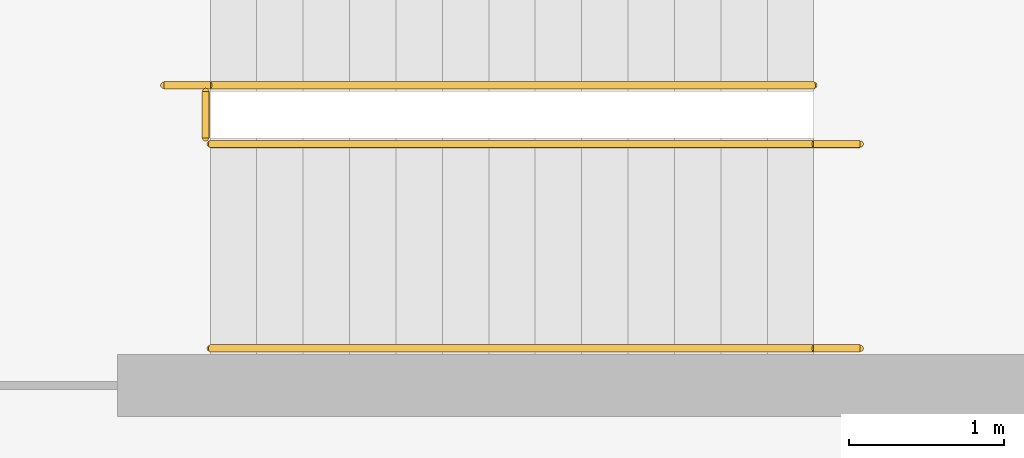
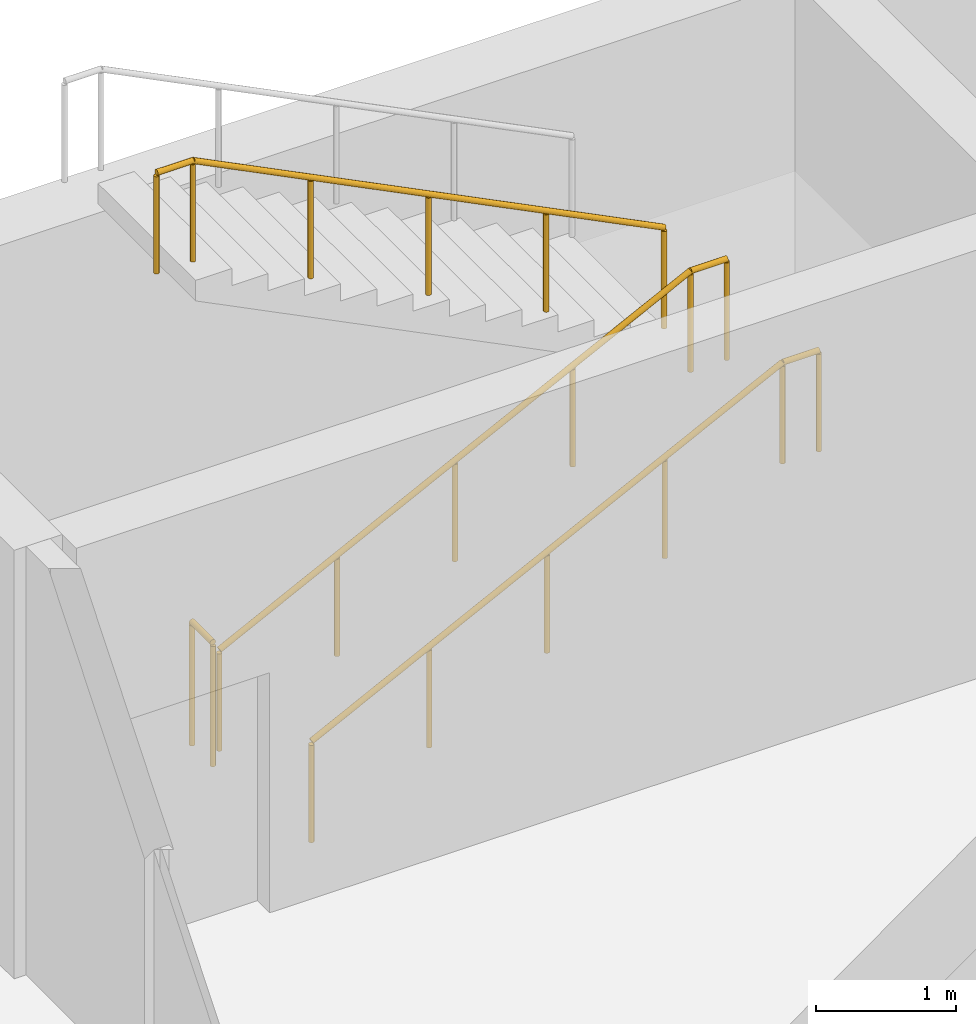
# One storey, part 9 of 14: 4 railings.
"""IFC4 building model written with IfcOpenShell, lengths in metres."""

from ifc_helpers import new_model, si_unit, direction, frame, origin, origin_2d, place, context, subcontext, project, spatial, circle, extrude, material, type_object, element, save


model = new_model("IFC4")

# Units and contexts
model_context = context("Model", 3, precision=1e-05, world=origin(), true_north=direction((0.0, 1.0)))
body_context = subcontext(model_context, "Body", "Model", "MODEL_VIEW")
ifc_project = project(units=[si_unit("LENGTHUNIT", "METRE"), si_unit("AREAUNIT", "SQUARE_METRE"), si_unit("VOLUMEUNIT", "CUBIC_METRE"), si_unit("PLANEANGLEUNIT", "RADIAN"), si_unit("MASSUNIT", "GRAM", prefix="KILO")], contexts=[model_context])

# Site, building, storey
site_placement = place(None, origin())
site = spatial("IfcSite", under=ifc_project, at=site_placement, CompositionType="ELEMENT")
building_placement = place(site_placement, origin())
building = spatial("IfcBuilding", under=site, at=building_placement, Name="Yavir Park General Hospital", CompositionType="ELEMENT")
storey_placement = place(building_placement, frame((0.0, 0.0, -4.199951171875)))
storey = spatial("IfcBuildingStorey", under=building, at=storey_placement, Name="B1", CompositionType="ELEMENT", Elevation=-4.199951171875)

# Railings
ifc_material_1 = material(Name="Steel balustrade with infill rods", Category="steel")
railing_type_1 = type_object("IfcRailingType", Name="Stair guard, steel balustrade 1100 mm", PredefinedType="GUARDRAIL", material=ifc_material_1)
railing_1_placement = place(storey_placement, frame((119.969970703125, 31.60009765625, 0.0)))
element("IfcRailing", 1, at=railing_1_placement, inside=storey, type_object=railing_type_1, Name="Stair well guard BS4 B1", PredefinedType="GUARDRAIL", context=body_context, shape_type="SweptSolid", body=[
    extrude(circle(Radius=0.02392578125, at=origin_2d()), frame((0.0, 0.0, 1.076171875), z_axis=(0.0, 1.0, 0.0), x_axis=(-1.0, 0.0, 0.0)), (0.0, 0.0, 1.0), 0.2998046875),
    extrude(circle(Radius=0.02099609375, at=origin_2d()), origin(), (0.0, 0.0, 1.0), 1.052001953125),
    extrude(circle(Radius=0.02099609375, at=origin_2d()), frame((0.0, 0.2998046875, 0.0)), (0.0, 0.0, 1.0), 1.052001953125),
])
ifc_material_2 = material(Name="Stainless steel tube 48 mm", Category="steel")
railing_type_2 = type_object("IfcRailingType", Name="Stair handrail, steel tube, 900 mm above the nosings", PredefinedType="HANDRAIL", material=ifc_material_2)
for number, where, name in (
    (2, (120.0, 30.239990234375, 0.14990234375), "Handrail BS4 B1 1"),
    (3, (120.0, 31.56005859375, 0.14990234375), "Handrail BS4 B1 2"),
):
    element("IfcRailing", number, at=place(storey_placement, frame(where)), inside=storey, type_object=railing_type_2, Name=name, PredefinedType="HANDRAIL", context=body_context, shape_type="SweptSolid", body=[
        extrude(circle(Radius=0.02392578125, at=origin_2d()), frame((0.0, 0.0, 0.8759765625), z_axis=(0.894427191, 0.0, 0.4472135955), x_axis=(0.0, 1.0, 0.0)), (0.0, 0.0, 1.0), 4.360107421875),
        extrude(circle(Radius=0.02392578125, at=origin_2d()), frame((3.89990234375, 0.0, 2.82568359375), z_axis=(1.0, 0.0, 0.0), x_axis=(0.0, 1.0, 0.0)), (0.0, 0.0, 1.0), 0.300048828125),
        extrude(circle(Radius=0.02099609375, at=origin_2d()), origin(), (0.0, 0.0, 1.0), 0.851806640625),
        extrude(circle(Radius=0.02099609375, at=origin_2d()), frame((0.97509765625, 0.0, 0.487548828125)), (0.0, 0.0, 1.0), 0.851806640625),
        extrude(circle(Radius=0.02099609375, at=origin_2d()), frame((1.949951171875, 0.0, 0.97509765625)), (0.0, 0.0, 1.0), 0.851806640625),
        extrude(circle(Radius=0.02099609375, at=origin_2d()), frame((2.9248046875, 0.0, 1.46240234375)), (0.0, 0.0, 1.0), 0.851806640625),
        extrude(circle(Radius=0.02099609375, at=origin_2d()), frame((3.89990234375, 0.0, 1.949951171875)), (0.0, 0.0, 1.0), 0.851806640625),
        extrude(circle(Radius=0.02099609375, at=origin_2d()), frame((4.199951171875, 0.0, 1.949951171875)), (0.0, 0.0, 1.0), 0.851806640625),
    ])
railing_2_placement = place(storey_placement, frame((123.89990234375, 31.93994140625, 2.25)))
element("IfcRailing", 4, at=railing_2_placement, inside=storey, type_object=railing_type_2, Name="Handrail BS4 B1 4", PredefinedType="HANDRAIL", context=body_context, shape_type="SweptSolid", body=[
    extrude(circle(Radius=0.02392578125, at=origin_2d()), frame((0.0, 0.0, 0.8759765625), z_axis=(-0.894427191, 0.0, 0.4472135955), x_axis=(0.0, -1.0, 0.0)), (0.0, 0.0, 1.0), 4.360107421875),
    extrude(circle(Radius=0.02392578125, at=origin_2d()), frame((-3.89990234375, 0.0, 2.82568359375), z_axis=(-1.0, 0.0, 0.0), x_axis=(0.0, -1.0, 0.0)), (0.0, 0.0, 1.0), 0.300048828125),
    extrude(circle(Radius=0.02099609375, at=origin_2d()), origin(), (0.0, 0.0, 1.0), 0.851806640625),
    extrude(circle(Radius=0.02099609375, at=origin_2d()), frame((-0.97509765625, 0.0, 0.487548828125)), (0.0, 0.0, 1.0), 0.851806640625),
    extrude(circle(Radius=0.02099609375, at=origin_2d()), frame((-1.949951171875, 0.0, 0.97509765625)), (0.0, 0.0, 1.0), 0.851806640625),
    extrude(circle(Radius=0.02099609375, at=origin_2d()), frame((-2.9248046875, 0.0, 1.46240234375)), (0.0, 0.0, 1.0), 0.851806640625),
    extrude(circle(Radius=0.02099609375, at=origin_2d()), frame((-3.89990234375, 0.0, 1.949951171875)), (0.0, 0.0, 1.0), 0.851806640625),
    extrude(circle(Radius=0.02099609375, at=origin_2d()), frame((-4.199951171875, 0.0, 1.949951171875)), (0.0, 0.0, 1.0), 0.851806640625),
])

save(model, "model.ifc")
